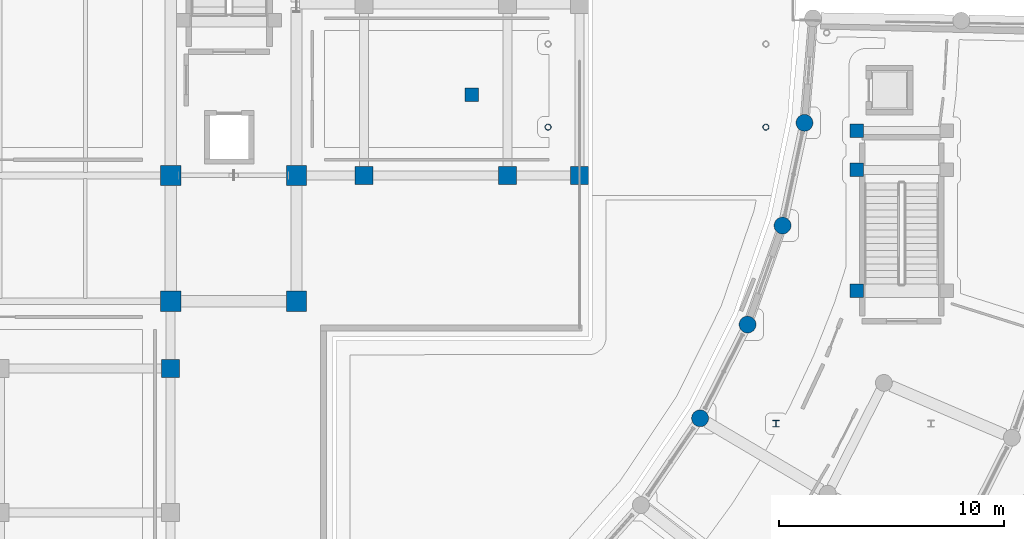
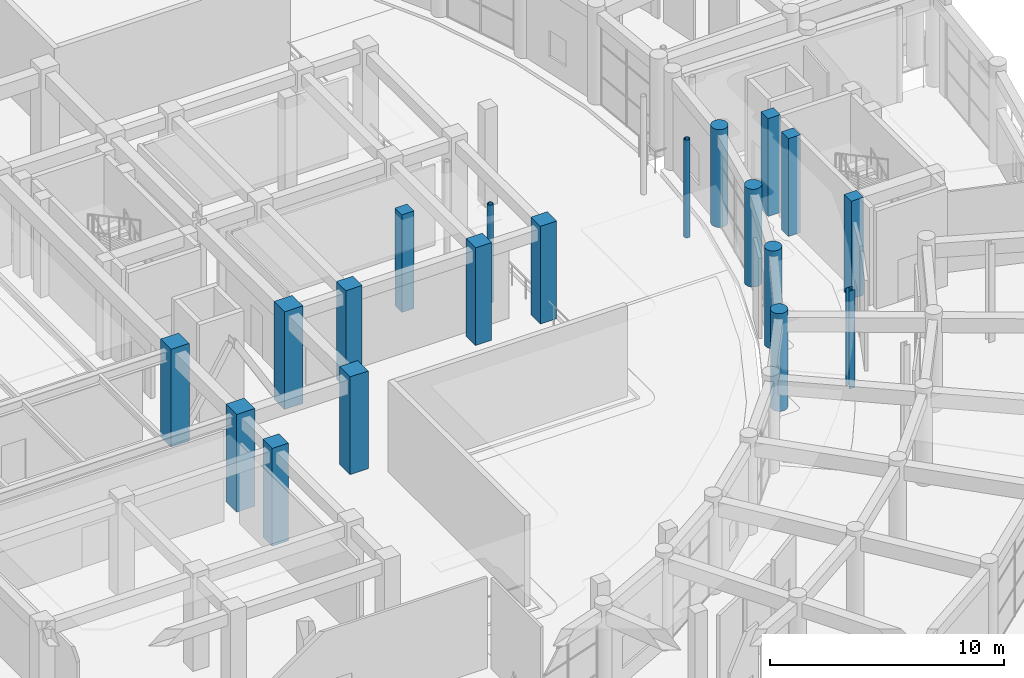
# One storey, part 12 of 99: 19 columns.
"""IFC4 building model written with IfcOpenShell, lengths in metres."""

from ifc_helpers import new_model, si_unit, direction, frame, origin, origin_2d, place, context, subcontext, project, spatial, rectangle, circle, hollow_circle, i_section, extrude, material, material_profile, profile_set, type_object, element, save


model = new_model("IFC4")

# Units and contexts
model_context = context("Model", 3, precision=1e-05, world=origin(), true_north=direction((0.0, 1.0)))
body_context = subcontext(model_context, "Body", "Model", "MODEL_VIEW")
ifc_project = project(units=[si_unit("LENGTHUNIT", "METRE"), si_unit("AREAUNIT", "SQUARE_METRE"), si_unit("VOLUMEUNIT", "CUBIC_METRE"), si_unit("PLANEANGLEUNIT", "RADIAN"), si_unit("MASSUNIT", "GRAM", prefix="KILO")], contexts=[model_context])

# Site, building, storey
site_placement = place(None, origin())
site = spatial("IfcSite", under=ifc_project, at=site_placement, CompositionType="ELEMENT")
building_placement = place(site_placement, origin())
building = spatial("IfcBuilding", under=site, at=building_placement, Name="Saryqyr Civic Hall", CompositionType="ELEMENT")
storey_placement = place(building_placement, origin())
storey = spatial("IfcBuildingStorey", under=building, at=storey_placement, Name="L00", CompositionType="ELEMENT", Elevation=0.0)

# Columns
ifc_material_1 = material(Name="Steel S355", Category="steel")
ifc_material_profile_1 = material_profile(ifc_material_1, hollow_circle(Radius=0.136474609375, WallThickness=0.01611328125, at=origin_2d()), Name="CHS 273x16")
ifc_profile_set_1 = profile_set([ifc_material_profile_1], Name="Steel S355")
column_type_1 = type_object("IfcColumnType", Name="STR-COL-CHS273-S355", PredefinedType="COLUMN", material=ifc_profile_set_1)
for number, where, z_axis, x_axis, name in (
    (1, (81.39990234375, 78.550048828125, 0.0), (0.0, 0.0, 1.0), (1.0, 0.0, 0.0), "Column BRCOL-BR-CE-1-L00"),
    (2, (91.09765625, 78.550048828125, 0.0), (0.0, 0.0, 1.0), (1.0, 0.0, 0.0), "Column BRCOL-BR-CE-2-L00"),
):
    element("IfcColumn", number, at=place(storey_placement, frame(where, z_axis=z_axis, x_axis=x_axis)), inside=storey, type_object=column_type_1, Name=name, PredefinedType="COLUMN", context=body_context, shape_type="SweptSolid", body=[
        extrude(hollow_circle(Radius=0.136474609375, WallThickness=0.01611328125, at=origin_2d()), origin(), (0.0, 0.0, 1.0), 5.10009765625),
    ])
ifc_material_profile_2 = material_profile(ifc_material_1, i_section(OverallWidth=0.300048828125, OverallDepth=0.2900390625, WebThickness=0.008544921875, FlangeThickness=0.013916015625, at=origin_2d()), Name="HEA 300")
ifc_profile_set_2 = profile_set([ifc_material_profile_2], Name="Steel S355")
column_type_2 = type_object("IfcColumnType", Name="STR-COL-HEA300-S355", PredefinedType="COLUMN", material=ifc_profile_set_2)
column_placement = place(storey_placement, frame((91.550048828125, 65.35009765625, 0.0), z_axis=(0.0, 0.0, 1.0), x_axis=(1.0, 0.0, 0.0)))
element("IfcColumn", 3, at=column_placement, inside=storey, type_object=column_type_2, Name="Column RGV5-COL-4-L00", PredefinedType="COLUMN", context=body_context, shape_type="SweptSolid", body=[
    extrude(i_section(OverallWidth=0.300048828125, OverallDepth=0.2900390625, WebThickness=0.008544921875, FlangeThickness=0.013916015625, at=origin_2d()), origin(), (0.0, 0.0, 1.0), 5.10009765625),
])
ifc_material_2 = material(Name="Concrete C40/50", Category="concrete")
ifc_material_profile_3 = material_profile(ifc_material_2, rectangle(XDim=0.60009765625, YDim=0.60009765625, at=origin_2d()), Name="RC 600x600")
ifc_profile_set_3 = profile_set([ifc_material_profile_3], Name="Concrete C40/50")
column_type_3 = type_object("IfcColumnType", Name="STR-COL-RC600-C40", PredefinedType="COLUMN", material=ifc_profile_set_3)
for number, where, z_axis, x_axis, name in (
    (4, (95.139892578125, 71.27490234375, 0.0), (0.0, 0.0, 1.0), (1.0, 0.0, 0.0), "Column ST-5-SCOL-TRMB-L00"),
    (5, (95.139892578125, 76.64990234375, 0.0), (0.0, 0.0, 1.0), (1.0, 0.0, 0.0), "Column ST-5-SCOL-LND1B-L00"),
    (6, (95.139892578125, 78.3798828125, 0.0), (0.0, 0.0, 1.0), (1.0, 0.0, 0.0), "Column ST-5-SCOL-LND2B-L00"),
    (7, (78.0, 80.0, 0.0), (0.0, 0.0, 1.0), (1.0, 0.0, 0.0), "Column V2-XCOL-04-L00"),
):
    element("IfcColumn", number, at=place(storey_placement, frame(where, z_axis=z_axis, x_axis=x_axis)), inside=storey, type_object=column_type_3, Name=name, PredefinedType="COLUMN", context=body_context, shape_type="SweptSolid", body=[
        extrude(rectangle(XDim=0.60009765625, YDim=0.60009765625, at=origin_2d()), origin(), (0.0, 0.0, 1.0), 5.10009765625),
    ])
ifc_material_profile_4 = material_profile(ifc_material_2, rectangle(XDim=0.800048828125, YDim=0.800048828125, at=origin_2d()), Name="RC 800x800")
ifc_profile_set_4 = profile_set([ifc_material_profile_4], Name="Concrete C40/50")
column_type_4 = type_object("IfcColumnType", Name="STR-COL-RC800-C40", PredefinedType="COLUMN", material=ifc_profile_set_4)
for number, where, z_axis, x_axis, name in (
    (8, (73.199951171875, 76.39990234375, 0.0), (0.0, 0.0, 1.0), (1.0, 0.0, 0.0), "Column V1-COL-S3P04-L00"),
    (9, (64.60009765625, 67.800048828125, 0.0), (0.0, 0.0, 1.0), (1.0, 0.0, 0.0), "Column V1-COL-S3P09-L00"),
    (10, (79.60009765625, 76.39990234375, 0.0), (0.0, 0.0, 1.0), (1.0, 0.0, 0.0), "Column V1-COL-S1P04-L00"),
    (11, (82.800048828125, 76.39990234375, 0.0), (0.0, 0.0, 1.0), (1.0, 0.0, 0.0), "Column V1-COL-S0P04-L00"),
):
    element("IfcColumn", number, at=place(storey_placement, frame(where, z_axis=z_axis, x_axis=x_axis)), inside=storey, type_object=column_type_4, Name=name, PredefinedType="COLUMN", context=body_context, shape_type="SweptSolid", body=[
        extrude(rectangle(XDim=0.800048828125, YDim=0.800048828125, at=origin_2d()), origin(), (0.0, 0.0, 1.0), 5.10009765625),
    ])
ifc_material_profile_5 = material_profile(ifc_material_2, rectangle(XDim=0.89990234375, YDim=0.89990234375, at=origin_2d()), Name="RC 900x900")
ifc_profile_set_5 = profile_set([ifc_material_profile_5], Name="Concrete C40/50")
column_type_5 = type_object("IfcColumnType", Name="STR-COL-RC900-C40", PredefinedType="COLUMN", material=ifc_profile_set_5)
for number, where, z_axis, x_axis, name in (
    (12, (64.60009765625, 70.800048828125, 0.0), (0.0, 0.0, 1.0), (1.0, 0.0, 0.0), "Column V1-COL-C31-L00"),
    (13, (64.60009765625, 76.39990234375, 0.0), (0.0, 0.0, 1.0), (1.0, 0.0, 0.0), "Column V1-COL-C32-L00"),
    (14, (70.199951171875, 70.800048828125, 0.0), (0.0, 0.0, 1.0), (1.0, 0.0, 0.0), "Column V1-COL-C41-L00"),
    (15, (70.199951171875, 76.39990234375, 0.0), (0.0, 0.0, 1.0), (1.0, 0.0, 0.0), "Column V1-COL-C42-L00"),
):
    element("IfcColumn", number, at=place(storey_placement, frame(where, z_axis=z_axis, x_axis=x_axis)), inside=storey, type_object=column_type_5, Name=name, PredefinedType="COLUMN", context=body_context, shape_type="SweptSolid", body=[
        extrude(rectangle(XDim=0.89990234375, YDim=0.89990234375, at=origin_2d()), origin(), (0.0, 0.0, 1.0), 5.10009765625),
    ])
ifc_material_profile_6 = material_profile(ifc_material_2, circle(Radius=0.375, at=origin_2d()), Name="RC D750")
ifc_profile_set_6 = profile_set([ifc_material_profile_6], Name="Concrete C40/50")
column_type_6 = type_object("IfcColumnType", Name="STR-COL-RCD750-EXT", PredefinedType="COLUMN", material=ifc_profile_set_6)
for number, where, z_axis, x_axis, name in (
    (16, (88.16845703125, 65.589111328125, 0.0), (0.0, 0.0, 1.0), (0.861008442465, -0.508590662521, 0.0), "Column V5-COL-IN06-L00"),
    (17, (90.281494140625, 69.759521484375, 0.0), (0.0, 0.0, 1.0), (0.919410138581, -0.393300136124, 0.0), "Column V5-COL-IN07-L00"),
    (18, (91.839111328125, 74.167724609375, 0.0), (0.0, 0.0, 1.0), (0.962407846499, -0.271608425858, 0.0), "Column V5-COL-IN08-L00"),
    (19, (92.81591796875, 78.739990234375, 0.0), (0.0, 0.0, 1.0), (0.989374077068, -0.145392350643, 0.0), "Column V5-COL-IN09-L00"),
):
    element("IfcColumn", number, at=place(storey_placement, frame(where, z_axis=z_axis, x_axis=x_axis)), inside=storey, type_object=column_type_6, Name=name, PredefinedType="COLUMN", context=body_context, shape_type="SweptSolid", body=[
        extrude(circle(Radius=0.375, at=origin_2d()), origin(), (0.0, 0.0, 1.0), 5.10009765625),
    ])

save(model, "model.ifc")
